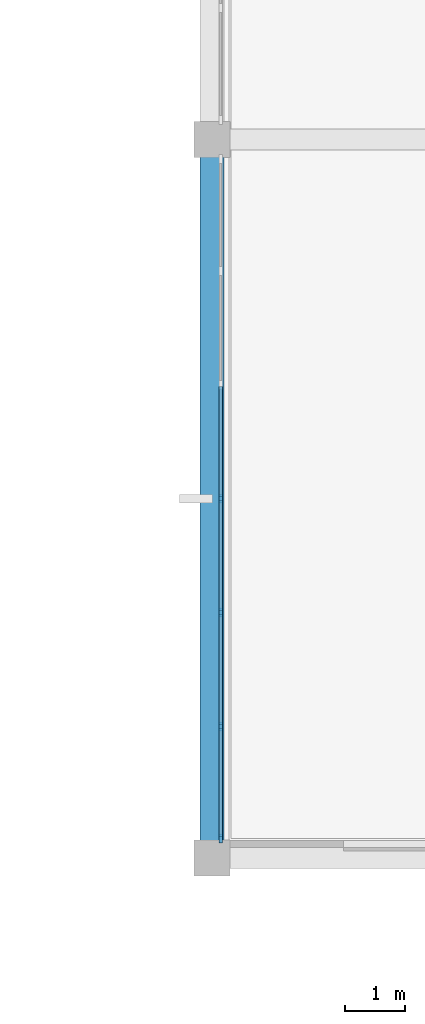
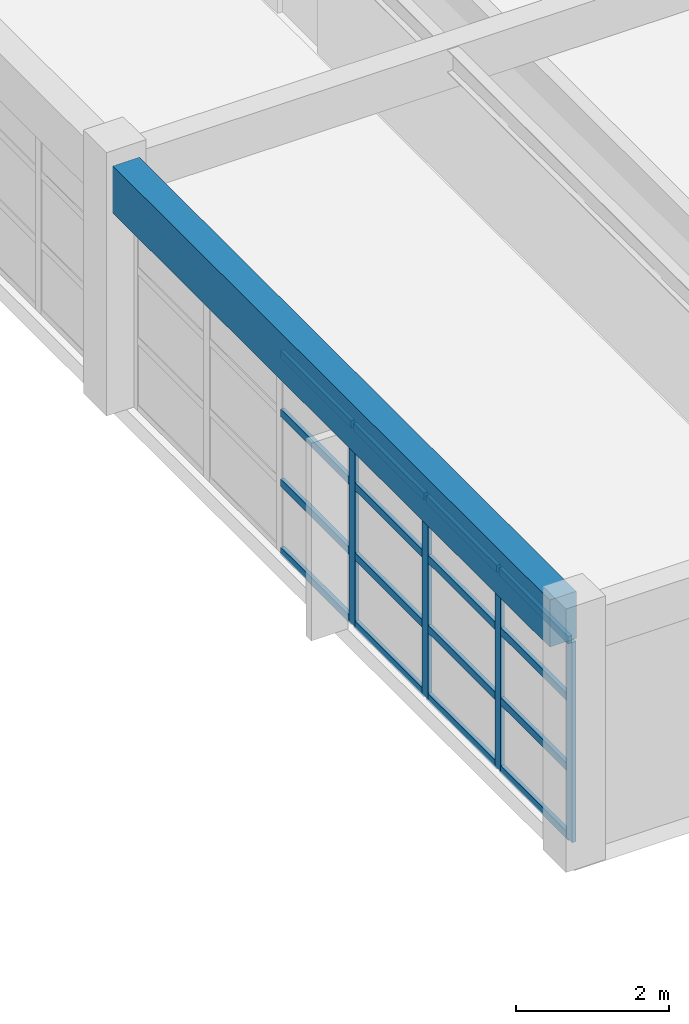
# One storey, part 4 of 28: 20 members, 1 beam, 1 element without a shape of its own.
"""IFC4 building model written with IfcOpenShell, lengths in metres."""

from ifc_helpers import new_model, si_unit, direction, frame, origin, origin_2d, place, context, subcontext, project, spatial, rectangle, extrude, material, layer, layer_set, material_profile, profile_set, type_object, element, aggregate, save


model = new_model("IFC4")

# Units and contexts
model_context = context("Model", 3, precision=1e-05, world=origin(), true_north=direction((0.0, 1.0)))
body_context = subcontext(model_context, "Body", "Model", "MODEL_VIEW")
ifc_project = project(units=[si_unit("LENGTHUNIT", "METRE"), si_unit("AREAUNIT", "SQUARE_METRE"), si_unit("VOLUMEUNIT", "CUBIC_METRE"), si_unit("PLANEANGLEUNIT", "RADIAN"), si_unit("MASSUNIT", "GRAM", prefix="KILO")], contexts=[model_context])

# Site, building, storey
site_placement = place(None, origin())
site = spatial("IfcSite", under=ifc_project, at=site_placement, CompositionType="ELEMENT")
building_placement = place(site_placement, origin())
building = spatial("IfcBuilding", under=site, at=building_placement, Name="Kivolera Central Railway Station", CompositionType="ELEMENT")
storey_placement = place(building_placement, frame((0.0, 0.0, 18.60009765625)))
storey = spatial("IfcBuildingStorey", under=building, at=storey_placement, Name="L04", CompositionType="ELEMENT", Elevation=18.60009765625)

# Beam
ifc_material_1 = material(Name="Concrete C40/50", Category="concrete")
ifc_material_profile_1 = material_profile(ifc_material_1, rectangle(XDim=0.39990234375, YDim=0.75, at=origin_2d()), Name="RC 400x750")
ifc_profile_set_1 = profile_set([ifc_material_profile_1], Name="Concrete C40/50")
beam_type = type_object("IfcBeamType", Name="BM-RC-400x750", PredefinedType="BEAM", material=ifc_profile_set_1)
beam_placement = place(storey_placement, frame((178.0, 78.2919921875, 3.574951171875), z_axis=(0.0, 1.0, 0.0), x_axis=(-1.0, 0.0, 0.0)))
element("IfcBeam", 1, at=beam_placement, inside=storey, type_object=beam_type, Name="L04 Wing Y-Beam 18:G-H", PredefinedType="BEAM", context=body_context, shape_type="SweptSolid", body=[
    extrude(rectangle(XDim=0.39990234375, YDim=0.75, at=origin_2d()), origin(), (0.0, 0.0, 1.0), 11.416015625),
])

# Curtain wall, members
ifc_material_2 = material(Name="Anodised aluminium", Category="aluminium")
ifc_layer = layer(ifc_material_2, 0.179931640625, Name="Anodised aluminium")
ifc_layer_set = layer_set([ifc_layer], Name="Anodised aluminium")
curtain_wall_type = type_object("IfcCurtainWallType", Name="CW-SYS-32", PredefinedType="NOTDEFINED", material=ifc_layer_set)
curtain_wall_placement = place(storey_placement, origin())
curtain_wall = element("IfcCurtainWall", 2, at=curtain_wall_placement, inside=storey, type_object=curtain_wall_type, Name="L04 Curtain Wall CW-L04-CRTE-G", PredefinedType="NOTDEFINED")
ifc_material_profile_2 = material_profile(ifc_material_2, rectangle(XDim=0.06005859375, YDim=0.14990234375, at=origin_2d()), Name="ALU MULL 60x150")
ifc_profile_set_2 = profile_set([ifc_material_profile_2], Name="Anodised aluminium")
member_type_1 = type_object("IfcMemberType", Name="CWM-MUL-2", PredefinedType="MULLION", material=ifc_profile_set_2)
member_1_placement = place(storey_placement, frame((178.14501953125, 78.324951171875, -0.005126953125), z_axis=(0.0, 0.0, 1.0), x_axis=(-1.0, 0.0, 0.0)))
member_1 = element("IfcMember", 3, at=member_1_placement, type_object=member_type_1, Name="CW-32 mullion 1", PredefinedType="MULLION", context=body_context, shape_type="SweptSolid", body=[
    extrude(rectangle(XDim=0.06005859375, YDim=0.14990234375, at=origin_2d()), origin(), (0.0, 0.0, 1.0), 3.193115234375),
])
member_2_placement = place(storey_placement, frame((178.14501953125, 80.19677734375, -0.005126953125), z_axis=(0.0, 0.0, 1.0), x_axis=(-1.0, 0.0, 0.0)))
member_2 = element("IfcMember", 4, at=member_2_placement, type_object=member_type_1, Name="CW-32 mullion 2", PredefinedType="MULLION", context=body_context, shape_type="SweptSolid", body=[
    extrude(rectangle(XDim=0.06005859375, YDim=0.14990234375, at=origin_2d()), origin(), (0.0, 0.0, 1.0), 3.193115234375),
])
member_3_placement = place(storey_placement, frame((178.14501953125, 82.098388671875, -0.005126953125), z_axis=(0.0, 0.0, 1.0), x_axis=(-1.0, 0.0, 0.0)))
member_3 = element("IfcMember", 5, at=member_3_placement, type_object=member_type_1, Name="CW-32 mullion 3", PredefinedType="MULLION", context=body_context, shape_type="SweptSolid", body=[
    extrude(rectangle(XDim=0.06005859375, YDim=0.14990234375, at=origin_2d()), origin(), (0.0, 0.0, 1.0), 3.193115234375),
])
member_4_placement = place(storey_placement, frame((178.14501953125, 84.0, -0.005126953125), z_axis=(0.0, 0.0, 1.0), x_axis=(-1.0, 0.0, 0.0)))
member_4 = element("IfcMember", 6, at=member_4_placement, type_object=member_type_1, Name="CW-32 mullion 4", PredefinedType="MULLION", context=body_context, shape_type="SweptSolid", body=[
    extrude(rectangle(XDim=0.06005859375, YDim=0.14990234375, at=origin_2d()), origin(), (0.0, 0.0, 1.0), 3.193115234375),
])
ifc_material_profile_3 = material_profile(ifc_material_2, rectangle(XDim=0.06005859375, YDim=0.1201171875, at=origin_2d()), Name="ALU TRAN 60x120")
ifc_profile_set_3 = profile_set([ifc_material_profile_3], Name="Anodised aluminium")
member_type_2 = type_object("IfcMemberType", Name="CWM-TRN-2", PredefinedType="USERDEFINED", material=ifc_profile_set_3)
member_5_placement = place(storey_placement, frame((178.14501953125, 78.35498046875, 0.02978515625), z_axis=(0.0, 1.0, 0.0), x_axis=(-1.0, 0.0, 0.0)))
member_5 = element("IfcMember", 7, at=member_5_placement, type_object=member_type_2, Name="CW-32 transom 1.1", ObjectType="TRANSOM", PredefinedType="USERDEFINED", context=body_context, shape_type="SweptSolid", body=[
    extrude(rectangle(XDim=0.06005859375, YDim=0.1201171875, at=origin_2d()), origin(), (0.0, 0.0, 1.0), 1.811767578125),
])
member_6_placement = place(storey_placement, frame((178.14501953125, 78.35498046875, 1.11572265625), z_axis=(0.0, 1.0, 0.0), x_axis=(-1.0, 0.0, 0.0)))
member_6 = element("IfcMember", 8, at=member_6_placement, type_object=member_type_2, Name="CW-32 transom 1.2", ObjectType="TRANSOM", PredefinedType="USERDEFINED", context=body_context, shape_type="SweptSolid", body=[
    extrude(rectangle(XDim=0.06005859375, YDim=0.1201171875, at=origin_2d()), origin(), (0.0, 0.0, 1.0), 1.811767578125),
])
member_7_placement = place(storey_placement, frame((178.14501953125, 78.35498046875, 2.2314453125), z_axis=(0.0, 1.0, 0.0), x_axis=(-1.0, 0.0, 0.0)))
member_7 = element("IfcMember", 9, at=member_7_placement, type_object=member_type_2, Name="CW-32 transom 1.3", ObjectType="TRANSOM", PredefinedType="USERDEFINED", context=body_context, shape_type="SweptSolid", body=[
    extrude(rectangle(XDim=0.06005859375, YDim=0.1201171875, at=origin_2d()), origin(), (0.0, 0.0, 1.0), 1.811767578125),
])
member_8_placement = place(storey_placement, frame((178.14501953125, 78.35498046875, 3.157958984375), z_axis=(0.0, 1.0, 0.0), x_axis=(-1.0, 0.0, 0.0)))
member_8 = element("IfcMember", 10, at=member_8_placement, type_object=member_type_2, Name="CW-32 transom 1.4", ObjectType="TRANSOM", PredefinedType="USERDEFINED", context=body_context, shape_type="SweptSolid", body=[
    extrude(rectangle(XDim=0.06005859375, YDim=0.1201171875, at=origin_2d()), origin(), (0.0, 0.0, 1.0), 1.811767578125),
])
member_9_placement = place(storey_placement, frame((178.14501953125, 80.2265625, 0.02978515625), z_axis=(0.0, 1.0, 0.0), x_axis=(-1.0, 0.0, 0.0)))
member_9 = element("IfcMember", 11, at=member_9_placement, type_object=member_type_2, Name="CW-32 transom 2.1", ObjectType="TRANSOM", PredefinedType="USERDEFINED", context=body_context, shape_type="SweptSolid", body=[
    extrude(rectangle(XDim=0.06005859375, YDim=0.1201171875, at=origin_2d()), origin(), (0.0, 0.0, 1.0), 1.841796875),
])
member_10_placement = place(storey_placement, frame((178.14501953125, 80.2265625, 1.11572265625), z_axis=(0.0, 1.0, 0.0), x_axis=(-1.0, 0.0, 0.0)))
member_10 = element("IfcMember", 12, at=member_10_placement, type_object=member_type_2, Name="CW-32 transom 2.2", ObjectType="TRANSOM", PredefinedType="USERDEFINED", context=body_context, shape_type="SweptSolid", body=[
    extrude(rectangle(XDim=0.06005859375, YDim=0.1201171875, at=origin_2d()), origin(), (0.0, 0.0, 1.0), 1.841796875),
])
member_11_placement = place(storey_placement, frame((178.14501953125, 80.2265625, 2.2314453125), z_axis=(0.0, 1.0, 0.0), x_axis=(-1.0, 0.0, 0.0)))
member_11 = element("IfcMember", 13, at=member_11_placement, type_object=member_type_2, Name="CW-32 transom 2.3", ObjectType="TRANSOM", PredefinedType="USERDEFINED", context=body_context, shape_type="SweptSolid", body=[
    extrude(rectangle(XDim=0.06005859375, YDim=0.1201171875, at=origin_2d()), origin(), (0.0, 0.0, 1.0), 1.841796875),
])
member_12_placement = place(storey_placement, frame((178.14501953125, 80.2265625, 3.157958984375), z_axis=(0.0, 1.0, 0.0), x_axis=(-1.0, 0.0, 0.0)))
member_12 = element("IfcMember", 14, at=member_12_placement, type_object=member_type_2, Name="CW-32 transom 2.4", ObjectType="TRANSOM", PredefinedType="USERDEFINED", context=body_context, shape_type="SweptSolid", body=[
    extrude(rectangle(XDim=0.06005859375, YDim=0.1201171875, at=origin_2d()), origin(), (0.0, 0.0, 1.0), 1.841796875),
])
member_13_placement = place(storey_placement, frame((178.14501953125, 82.12841796875, 0.02978515625), z_axis=(0.0, 1.0, 0.0), x_axis=(-1.0, 0.0, 0.0)))
member_13 = element("IfcMember", 15, at=member_13_placement, type_object=member_type_2, Name="CW-32 transom 3.1", ObjectType="TRANSOM", PredefinedType="USERDEFINED", context=body_context, shape_type="SweptSolid", body=[
    extrude(rectangle(XDim=0.06005859375, YDim=0.1201171875, at=origin_2d()), origin(), (0.0, 0.0, 1.0), 1.841552734375),
])
member_14_placement = place(storey_placement, frame((178.14501953125, 82.12841796875, 1.11572265625), z_axis=(0.0, 1.0, 0.0), x_axis=(-1.0, 0.0, 0.0)))
member_14 = element("IfcMember", 16, at=member_14_placement, type_object=member_type_2, Name="CW-32 transom 3.2", ObjectType="TRANSOM", PredefinedType="USERDEFINED", context=body_context, shape_type="SweptSolid", body=[
    extrude(rectangle(XDim=0.06005859375, YDim=0.1201171875, at=origin_2d()), origin(), (0.0, 0.0, 1.0), 1.841552734375),
])
member_15_placement = place(storey_placement, frame((178.14501953125, 82.12841796875, 2.2314453125), z_axis=(0.0, 1.0, 0.0), x_axis=(-1.0, 0.0, 0.0)))
member_15 = element("IfcMember", 17, at=member_15_placement, type_object=member_type_2, Name="CW-32 transom 3.3", ObjectType="TRANSOM", PredefinedType="USERDEFINED", context=body_context, shape_type="SweptSolid", body=[
    extrude(rectangle(XDim=0.06005859375, YDim=0.1201171875, at=origin_2d()), origin(), (0.0, 0.0, 1.0), 1.841552734375),
])
member_16_placement = place(storey_placement, frame((178.14501953125, 82.12841796875, 3.157958984375), z_axis=(0.0, 1.0, 0.0), x_axis=(-1.0, 0.0, 0.0)))
member_16 = element("IfcMember", 18, at=member_16_placement, type_object=member_type_2, Name="CW-32 transom 3.4", ObjectType="TRANSOM", PredefinedType="USERDEFINED", context=body_context, shape_type="SweptSolid", body=[
    extrude(rectangle(XDim=0.06005859375, YDim=0.1201171875, at=origin_2d()), origin(), (0.0, 0.0, 1.0), 1.841552734375),
])
member_17_placement = place(storey_placement, frame((178.14501953125, 84.030029296875, 0.02978515625), z_axis=(0.0, 1.0, 0.0), x_axis=(-1.0, 0.0, 0.0)))
member_17 = element("IfcMember", 19, at=member_17_placement, type_object=member_type_2, Name="CW-32 transom 4.1", ObjectType="TRANSOM", PredefinedType="USERDEFINED", context=body_context, shape_type="SweptSolid", body=[
    extrude(rectangle(XDim=0.06005859375, YDim=0.1201171875, at=origin_2d()), origin(), (0.0, 0.0, 1.0), 1.841552734375),
])
member_18_placement = place(storey_placement, frame((178.14501953125, 84.030029296875, 1.11572265625), z_axis=(0.0, 1.0, 0.0), x_axis=(-1.0, 0.0, 0.0)))
member_18 = element("IfcMember", 20, at=member_18_placement, type_object=member_type_2, Name="CW-32 transom 4.2", ObjectType="TRANSOM", PredefinedType="USERDEFINED", context=body_context, shape_type="SweptSolid", body=[
    extrude(rectangle(XDim=0.06005859375, YDim=0.1201171875, at=origin_2d()), origin(), (0.0, 0.0, 1.0), 1.841552734375),
])
member_19_placement = place(storey_placement, frame((178.14501953125, 84.030029296875, 2.2314453125), z_axis=(0.0, 1.0, 0.0), x_axis=(-1.0, 0.0, 0.0)))
member_19 = element("IfcMember", 21, at=member_19_placement, type_object=member_type_2, Name="CW-32 transom 4.3", ObjectType="TRANSOM", PredefinedType="USERDEFINED", context=body_context, shape_type="SweptSolid", body=[
    extrude(rectangle(XDim=0.06005859375, YDim=0.1201171875, at=origin_2d()), origin(), (0.0, 0.0, 1.0), 1.841552734375),
])
member_20_placement = place(storey_placement, frame((178.14501953125, 84.030029296875, 3.157958984375), z_axis=(0.0, 1.0, 0.0), x_axis=(-1.0, 0.0, 0.0)))
member_20 = element("IfcMember", 22, at=member_20_placement, type_object=member_type_2, Name="CW-32 transom 4.4", ObjectType="TRANSOM", PredefinedType="USERDEFINED", context=body_context, shape_type="SweptSolid", body=[
    extrude(rectangle(XDim=0.06005859375, YDim=0.1201171875, at=origin_2d()), origin(), (0.0, 0.0, 1.0), 1.841552734375),
])
aggregate(curtain_wall, [member_1, member_2, member_3, member_4, member_5, member_6, member_7, member_8, member_9, member_10, member_11, member_12, member_13, member_14, member_15, member_16, member_17, member_18, member_19, member_20])

save(model, "model.ifc")
